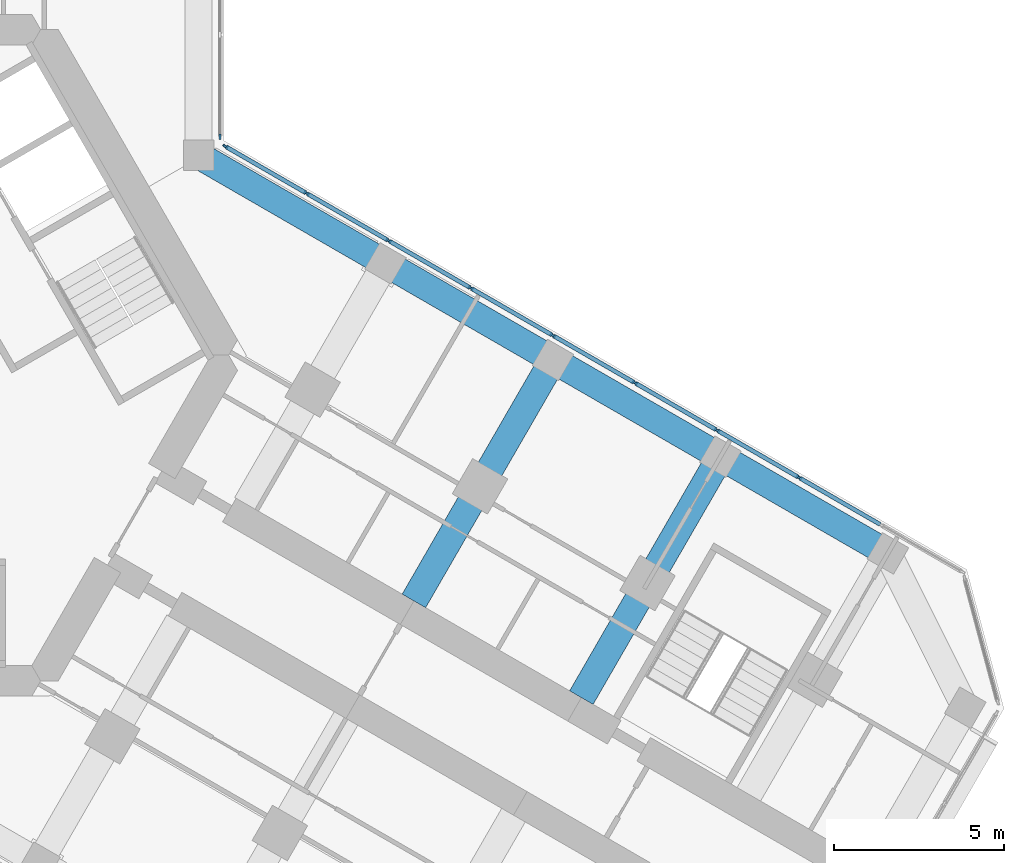
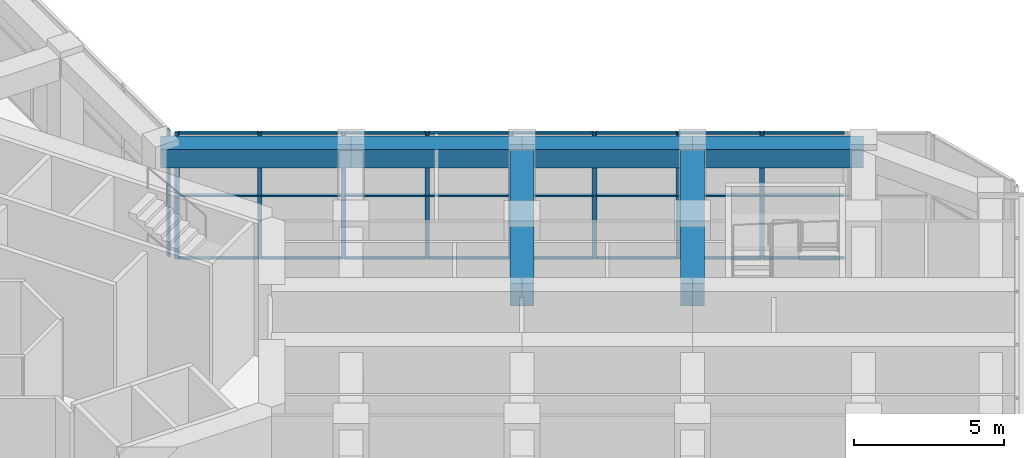
# One storey, part 7 of 20: 33 members, 6 beams, 2 elements without a shape of their own.
"""IFC4 building model written with IfcOpenShell, lengths in metres."""

from ifc_helpers import new_model, si_unit, direction, frame, origin, origin_2d, place, context, subcontext, project, spatial, rectangle, extrude, material, material_profile, profile_set, type_object, element, aggregate, save


model = new_model("IFC4")

# Units and contexts
model_context = context("Model", 3, precision=1e-05, world=origin(), true_north=direction((0.0, 1.0)))
body_context = subcontext(model_context, "Body", "Model", "MODEL_VIEW")
ifc_project = project(units=[si_unit("LENGTHUNIT", "METRE"), si_unit("AREAUNIT", "SQUARE_METRE"), si_unit("VOLUMEUNIT", "CUBIC_METRE"), si_unit("PLANEANGLEUNIT", "RADIAN"), si_unit("MASSUNIT", "GRAM", prefix="KILO")], contexts=[model_context])

# Site, building, storey
site_placement = place(None, origin())
site = spatial("IfcSite", under=ifc_project, at=site_placement, CompositionType="ELEMENT")
building_placement = place(site_placement, origin())
building = spatial("IfcBuilding", under=site, at=building_placement, Name="Kosmar Iwan School Tower", CompositionType="ELEMENT")
storey_placement = place(building_placement, frame((0.0, 0.0, 152.60009765625)))
storey = spatial("IfcBuildingStorey", under=building, at=storey_placement, Name="L38", CompositionType="ELEMENT", Elevation=152.60009765625)

# Curtain wall, members
ifc_material_1 = material(Name="Dark glass in black aluminium frame", Category="aluminium")
curtain_wall_type = type_object("IfcCurtainWallType", Name="Winter garden curtain wall", PredefinedType="USERDEFINED", material=ifc_material_1)
curtain_wall_1_placement = place(storey_placement, origin())
curtain_wall_1 = element("IfcCurtainWall", 1, at=curtain_wall_1_placement, inside=storey, type_object=curtain_wall_type, Name="Curtain wall L38-F05", ObjectType="WINTER GARDEN CURTAIN WALL", PredefinedType="USERDEFINED")
ifc_material_2 = material(Name="Black anodised aluminium", Category="aluminium")
ifc_material_profile_1 = material_profile(ifc_material_2, rectangle(XDim=0.06005859375, YDim=0.159912109375, at=origin_2d()), Name="MULLION 60x160")
ifc_profile_set_1 = profile_set([ifc_material_profile_1], Name="Black anodised aluminium")
member_type_1 = type_object("IfcMemberType", Name="Mullion 60x160", PredefinedType="MULLION", material=ifc_profile_set_1)
member_1_placement = place(storey_placement, frame((10.98876953125, 6.1552734375, 0.0), z_axis=(0.0, 0.0, 1.0), x_axis=(0.500000014888, 0.866025395189, 0.0)))
member_1 = element("IfcMember", 2, at=member_1_placement, type_object=member_type_1, Name="CW7 mullion 1", PredefinedType="MULLION", context=body_context, shape_type="SweptSolid", body=[
    extrude(rectangle(XDim=0.06005859375, YDim=0.159912109375, at=origin_2d()), origin(), (0.0, 0.0, 1.0), 5.14990234375),
])
member_2_placement = place(storey_placement, frame((13.3818359375, 4.773681640625, 0.0), z_axis=(0.0, 0.0, 1.0), x_axis=(0.500000014888, 0.866025395189, 0.0)))
member_2 = element("IfcMember", 3, at=member_2_placement, type_object=member_type_1, Name="CW7 mullion 2", PredefinedType="MULLION", context=body_context, shape_type="SweptSolid", body=[
    extrude(rectangle(XDim=0.06005859375, YDim=0.159912109375, at=origin_2d()), origin(), (0.0, 0.0, 1.0), 5.14990234375),
])
member_3_placement = place(storey_placement, frame((15.80078125, 3.376953125, 0.0), z_axis=(0.0, 0.0, 1.0), x_axis=(0.500000014888, 0.866025395189, 0.0)))
member_3 = element("IfcMember", 4, at=member_3_placement, type_object=member_type_1, Name="CW7 mullion 3", PredefinedType="MULLION", context=body_context, shape_type="SweptSolid", body=[
    extrude(rectangle(XDim=0.06005859375, YDim=0.159912109375, at=origin_2d()), origin(), (0.0, 0.0, 1.0), 5.14990234375),
])
member_4_placement = place(storey_placement, frame((18.219970703125, 1.98046875, 0.0), z_axis=(0.0, 0.0, 1.0), x_axis=(0.500000014888, 0.866025395189, 0.0)))
member_4 = element("IfcMember", 5, at=member_4_placement, type_object=member_type_1, Name="CW7 mullion 4", PredefinedType="MULLION", context=body_context, shape_type="SweptSolid", body=[
    extrude(rectangle(XDim=0.06005859375, YDim=0.159912109375, at=origin_2d()), origin(), (0.0, 0.0, 1.0), 5.14990234375),
])
member_5_placement = place(storey_placement, frame((20.638916015625, 0.583740234375, 0.0), z_axis=(0.0, 0.0, 1.0), x_axis=(0.500000014888, 0.866025395189, 0.0)))
member_5 = element("IfcMember", 6, at=member_5_placement, type_object=member_type_1, Name="CW7 mullion 5", PredefinedType="MULLION", context=body_context, shape_type="SweptSolid", body=[
    extrude(rectangle(XDim=0.06005859375, YDim=0.159912109375, at=origin_2d()), origin(), (0.0, 0.0, 1.0), 5.14990234375),
])
member_6_placement = place(storey_placement, frame((23.057861328125, -0.81298828125, 0.0), z_axis=(0.0, 0.0, 1.0), x_axis=(0.500000014888, 0.866025395189, 0.0)))
member_6 = element("IfcMember", 7, at=member_6_placement, type_object=member_type_1, Name="CW7 mullion 6", PredefinedType="MULLION", context=body_context, shape_type="SweptSolid", body=[
    extrude(rectangle(XDim=0.06005859375, YDim=0.159912109375, at=origin_2d()), origin(), (0.0, 0.0, 1.0), 5.14990234375),
])
member_7_placement = place(storey_placement, frame((25.47705078125, -2.20947265625, 0.0), z_axis=(0.0, 0.0, 1.0), x_axis=(0.500000014888, 0.866025395189, 0.0)))
member_7 = element("IfcMember", 8, at=member_7_placement, type_object=member_type_1, Name="CW7 mullion 7", PredefinedType="MULLION", context=body_context, shape_type="SweptSolid", body=[
    extrude(rectangle(XDim=0.06005859375, YDim=0.159912109375, at=origin_2d()), origin(), (0.0, 0.0, 1.0), 5.14990234375),
])
member_8_placement = place(storey_placement, frame((27.89599609375, -3.606201171875, 0.0), z_axis=(0.0, 0.0, 1.0), x_axis=(0.500000014888, 0.866025395189, 0.0)))
member_8 = element("IfcMember", 9, at=member_8_placement, type_object=member_type_1, Name="CW7 mullion 8", PredefinedType="MULLION", context=body_context, shape_type="SweptSolid", body=[
    extrude(rectangle(XDim=0.06005859375, YDim=0.159912109375, at=origin_2d()), origin(), (0.0, 0.0, 1.0), 5.14990234375),
])

# Curtain wall, member
curtain_wall_2_placement = place(storey_placement, origin())
curtain_wall_2 = element("IfcCurtainWall", 10, at=curtain_wall_2_placement, inside=storey, type_object=curtain_wall_type, Name="Curtain wall L38-F06", ObjectType="WINTER GARDEN CURTAIN WALL", PredefinedType="USERDEFINED")
member_9_placement = place(storey_placement, frame((10.824951171875, 6.43896484375, 0.0), z_axis=(0.0, 0.0, 1.0), x_axis=(-1.0, 0.0, 0.0)))
member_9 = element("IfcMember", 11, at=member_9_placement, type_object=member_type_1, Name="CW7 mullion 1", PredefinedType="MULLION", context=body_context, shape_type="SweptSolid", body=[
    extrude(rectangle(XDim=0.06005859375, YDim=0.159912109375, at=origin_2d()), origin(), (0.0, 0.0, 1.0), 5.14990234375),
])
aggregate(curtain_wall_2, [member_9])

# Beams
ifc_material_3 = material(Name="Concrete C50/60", Category="concrete")
ifc_material_profile_2 = material_profile(ifc_material_3, rectangle(XDim=0.800048828125, YDim=0.75, at=origin_2d()), Name="RC 800x750")
ifc_profile_set_2 = profile_set([ifc_material_profile_2], Name="Concrete C50/60")
beam_type_1 = type_object("IfcBeamType", Name="RC edge beam 800x750", PredefinedType="BEAM", material=ifc_profile_set_2)
beam_1_placement = place(storey_placement, frame((10.199951171875, 5.888916015625, 4.77490234375), z_axis=(0.866030912664, -0.49999045822, 0.0), x_axis=(0.49999045822, 0.866030912664, 0.0)))
element("IfcBeam", 12, at=beam_1_placement, inside=storey, type_object=beam_type_1, Name="Edge beam CL1", PredefinedType="BEAM", context=body_context, shape_type="SweptSolid", body=[
    extrude(rectangle(XDim=0.800048828125, YDim=0.75, at=origin_2d()), origin(), (0.0, 0.0, 1.0), 6.36083984375),
])
beam_2_placement = place(storey_placement, frame((15.708740234375, 2.70849609375, 4.77490234375), z_axis=(0.866025820012, -0.499999279071, 0.0), x_axis=(0.499999279071, 0.866025820012, 0.0)))
element("IfcBeam", 13, at=beam_2_placement, inside=storey, type_object=beam_type_1, Name="Edge beam CL2", PredefinedType="BEAM", context=body_context, shape_type="SweptSolid", body=[
    extrude(rectangle(XDim=0.800048828125, YDim=0.75, at=origin_2d()), origin(), (0.0, 0.0, 1.0), 5.7001953125),
])
for number, where, z_axis, x_axis, name in (
    (14, (20.645263671875, -0.1416015625, 4.77490234375), (0.866033658841, -0.49998570155, 0.0), (0.49998570155, 0.866033658841, 0.0), "Edge beam CL3"),
    (15, (25.58154296875, -2.991455078125, 4.77490234375), (0.866015111908, -0.50001782563, 0.0), (0.50001782563, 0.866015111908, 0.0), "Edge beam CL4"),
):
    element("IfcBeam", number, at=place(storey_placement, frame(where, z_axis=z_axis, x_axis=x_axis)), inside=storey, type_object=beam_type_1, Name=name, PredefinedType="BEAM", context=body_context, shape_type="SweptSolid", body=[
        extrude(rectangle(XDim=0.800048828125, YDim=0.75, at=origin_2d()), origin(), (0.0, 0.0, 1.0), 5.699951171875),
    ])
ifc_material_4 = material(Name="Concrete C50/60", Category="concrete")
ifc_material_profile_3 = material_profile(ifc_material_4, rectangle(XDim=0.800048828125, YDim=0.89990234375, at=origin_2d()), Name="RC 800x900")
ifc_profile_set_3 = profile_set([ifc_material_profile_3], Name="Concrete C50/60")
beam_type_2 = type_object("IfcBeamType", Name="RC transverse beam 800x900", PredefinedType="BEAM", material=ifc_profile_set_3)
beam_3_placement = place(storey_placement, frame((20.645263671875, -0.1416015625, 4.699951171875), z_axis=(-0.500013681986, -0.866017504342, 0.0), x_axis=(0.866017504342, -0.500013681986, 0.0)))
element("IfcBeam", 16, at=beam_3_placement, inside=storey, type_object=beam_type_2, Name="Transverse beam CL2", PredefinedType="BEAM", context=body_context, shape_type="SweptSolid", body=[
    extrude(rectangle(XDim=0.800048828125, YDim=0.89990234375, at=origin_2d()), origin(), (0.0, 0.0, 1.0), 8.199951171875),
])
beam_4_placement = place(storey_placement, frame((25.58154296875, -2.991455078125, 4.699951171875), z_axis=(-0.500000789788, -0.8660249478, 0.0), x_axis=(0.8660249478, -0.500000789788, 0.0)))
element("IfcBeam", 17, at=beam_4_placement, inside=storey, type_object=beam_type_2, Name="Transverse beam CL3", PredefinedType="BEAM", context=body_context, shape_type="SweptSolid", body=[
    extrude(rectangle(XDim=0.800048828125, YDim=0.89990234375, at=origin_2d()), origin(), (0.0, 0.0, 1.0), 8.2001953125),
])

# Member
ifc_material_5 = material(Name="Black anodised aluminium", Category="aluminium")
ifc_material_profile_4 = material_profile(ifc_material_5, rectangle(XDim=0.1201171875, YDim=0.06005859375, at=origin_2d()), Name="TRANSOM 60x120")
ifc_profile_set_4 = profile_set([ifc_material_profile_4], Name="Black anodised aluminium")
member_type_2 = type_object("IfcMemberType", Name="Transom 60x120", PredefinedType="USERDEFINED", material=ifc_profile_set_4)
member_10_placement = place(storey_placement, frame((11.014892578125, 6.14013671875, 0.02978515625), z_axis=(0.866033683985, -0.499985657998, 0.0), x_axis=(0.499985657998, 0.866033683985, 0.0)))
member_10 = element("IfcMember", 18, at=member_10_placement, type_object=member_type_2, Name="CW7 transom 1.1", ObjectType="TRANSOM", PredefinedType="USERDEFINED", context=body_context, shape_type="SweptSolid", body=[
    extrude(rectangle(XDim=0.1201171875, YDim=0.06005859375, at=origin_2d()), origin(), (0.0, 0.0, 1.0), 2.703125),
])

member_11_placement = place(storey_placement, frame((11.014892578125, 6.14013671875, 2.574951171875), z_axis=(0.866033683985, -0.499985657998, 0.0), x_axis=(0.499985657998, 0.866033683985, 0.0)))
member_11 = element("IfcMember", 19, at=member_11_placement, type_object=member_type_2, Name="CW7 transom 1.2", ObjectType="TRANSOM", PredefinedType="USERDEFINED", context=body_context, shape_type="SweptSolid", body=[
    extrude(rectangle(XDim=0.1201171875, YDim=0.06005859375, at=origin_2d()), origin(), (0.0, 0.0, 1.0), 2.703125),
])

member_12_placement = place(storey_placement, frame((11.014892578125, 6.14013671875, 5.119873046875), z_axis=(0.866033683985, -0.499985657998, 0.0), x_axis=(0.499985657998, 0.866033683985, 0.0)))
member_12 = element("IfcMember", 20, at=member_12_placement, type_object=member_type_2, Name="CW7 transom 1.3", ObjectType="TRANSOM", PredefinedType="USERDEFINED", context=body_context, shape_type="SweptSolid", body=[
    extrude(rectangle(XDim=0.1201171875, YDim=0.06005859375, at=origin_2d()), origin(), (0.0, 0.0, 1.0), 2.703125),
])

member_13_placement = place(storey_placement, frame((13.407958984375, 4.758544921875, 0.02978515625), z_axis=(0.866041295585, -0.499972473583, 0.0), x_axis=(0.499972473583, 0.866041295585, 0.0)))
member_13 = element("IfcMember", 21, at=member_13_placement, type_object=member_type_2, Name="CW7 transom 2.1", ObjectType="TRANSOM", PredefinedType="USERDEFINED", context=body_context, shape_type="SweptSolid", body=[
    extrude(rectangle(XDim=0.1201171875, YDim=0.06005859375, at=origin_2d()), origin(), (0.0, 0.0, 1.0), 2.733154296875),
])

member_14_placement = place(storey_placement, frame((13.407958984375, 4.758544921875, 2.574951171875), z_axis=(0.866041295585, -0.499972473583, 0.0), x_axis=(0.499972473583, 0.866041295585, 0.0)))
member_14 = element("IfcMember", 22, at=member_14_placement, type_object=member_type_2, Name="CW7 transom 2.2", ObjectType="TRANSOM", PredefinedType="USERDEFINED", context=body_context, shape_type="SweptSolid", body=[
    extrude(rectangle(XDim=0.1201171875, YDim=0.06005859375, at=origin_2d()), origin(), (0.0, 0.0, 1.0), 2.733154296875),
])

member_15_placement = place(storey_placement, frame((13.407958984375, 4.758544921875, 5.119873046875), z_axis=(0.866041295585, -0.499972473583, 0.0), x_axis=(0.499972473583, 0.866041295585, 0.0)))
member_15 = element("IfcMember", 23, at=member_15_placement, type_object=member_type_2, Name="CW7 transom 2.3", ObjectType="TRANSOM", PredefinedType="USERDEFINED", context=body_context, shape_type="SweptSolid", body=[
    extrude(rectangle(XDim=0.1201171875, YDim=0.06005859375, at=origin_2d()), origin(), (0.0, 0.0, 1.0), 2.733154296875),
])

member_16_placement = place(storey_placement, frame((15.826904296875, 3.362060546875, 0.02978515625), z_axis=(0.866002615699, -0.500039468044, 0.0), x_axis=(0.500039468044, 0.866002615699, 0.0)))
member_16 = element("IfcMember", 24, at=member_16_placement, type_object=member_type_2, Name="CW7 transom 3.1", ObjectType="TRANSOM", PredefinedType="USERDEFINED", context=body_context, shape_type="SweptSolid", body=[
    extrude(rectangle(XDim=0.1201171875, YDim=0.06005859375, at=origin_2d()), origin(), (0.0, 0.0, 1.0), 2.733154296875),
])

member_17_placement = place(storey_placement, frame((15.826904296875, 3.362060546875, 2.574951171875), z_axis=(0.866002615699, -0.500039468044, 0.0), x_axis=(0.500039468044, 0.866002615699, 0.0)))
member_17 = element("IfcMember", 25, at=member_17_placement, type_object=member_type_2, Name="CW7 transom 3.2", ObjectType="TRANSOM", PredefinedType="USERDEFINED", context=body_context, shape_type="SweptSolid", body=[
    extrude(rectangle(XDim=0.1201171875, YDim=0.06005859375, at=origin_2d()), origin(), (0.0, 0.0, 1.0), 2.733154296875),
])

member_18_placement = place(storey_placement, frame((15.826904296875, 3.362060546875, 5.119873046875), z_axis=(0.866002615699, -0.500039468044, 0.0), x_axis=(0.500039468044, 0.866002615699, 0.0)))
member_18 = element("IfcMember", 26, at=member_18_placement, type_object=member_type_2, Name="CW7 transom 3.3", ObjectType="TRANSOM", PredefinedType="USERDEFINED", context=body_context, shape_type="SweptSolid", body=[
    extrude(rectangle(XDim=0.1201171875, YDim=0.06005859375, at=origin_2d()), origin(), (0.0, 0.0, 1.0), 2.733154296875),
])

member_19_placement = place(storey_placement, frame((18.245849609375, 1.96533203125, 0.02978515625), z_axis=(0.8660249478, -0.500000789788, 0.0), x_axis=(0.500000789788, 0.8660249478, 0.0)))
member_19 = element("IfcMember", 27, at=member_19_placement, type_object=member_type_2, Name="CW7 transom 4.1", ObjectType="TRANSOM", PredefinedType="USERDEFINED", context=body_context, shape_type="SweptSolid", body=[
    extrude(rectangle(XDim=0.1201171875, YDim=0.06005859375, at=origin_2d()), origin(), (0.0, 0.0, 1.0), 2.7333984375),
])

member_20_placement = place(storey_placement, frame((18.245849609375, 1.96533203125, 2.574951171875), z_axis=(0.8660249478, -0.500000789788, 0.0), x_axis=(0.500000789788, 0.8660249478, 0.0)))
member_20 = element("IfcMember", 28, at=member_20_placement, type_object=member_type_2, Name="CW7 transom 4.2", ObjectType="TRANSOM", PredefinedType="USERDEFINED", context=body_context, shape_type="SweptSolid", body=[
    extrude(rectangle(XDim=0.1201171875, YDim=0.06005859375, at=origin_2d()), origin(), (0.0, 0.0, 1.0), 2.7333984375),
])

member_21_placement = place(storey_placement, frame((18.245849609375, 1.96533203125, 5.119873046875), z_axis=(0.8660249478, -0.500000789788, 0.0), x_axis=(0.500000789788, 0.8660249478, 0.0)))
member_21 = element("IfcMember", 29, at=member_21_placement, type_object=member_type_2, Name="CW7 transom 4.3", ObjectType="TRANSOM", PredefinedType="USERDEFINED", context=body_context, shape_type="SweptSolid", body=[
    extrude(rectangle(XDim=0.1201171875, YDim=0.06005859375, at=origin_2d()), origin(), (0.0, 0.0, 1.0), 2.7333984375),
])

member_22_placement = place(storey_placement, frame((20.664794921875, 0.56884765625, 0.02978515625), z_axis=(0.8660249478, -0.500000789788, 0.0), x_axis=(0.500000789788, 0.8660249478, 0.0)))
member_22 = element("IfcMember", 30, at=member_22_placement, type_object=member_type_2, Name="CW7 transom 5.1", ObjectType="TRANSOM", PredefinedType="USERDEFINED", context=body_context, shape_type="SweptSolid", body=[
    extrude(rectangle(XDim=0.1201171875, YDim=0.06005859375, at=origin_2d()), origin(), (0.0, 0.0, 1.0), 2.7333984375),
])

member_23_placement = place(storey_placement, frame((20.664794921875, 0.56884765625, 2.574951171875), z_axis=(0.8660249478, -0.500000789788, 0.0), x_axis=(0.500000789788, 0.8660249478, 0.0)))
member_23 = element("IfcMember", 31, at=member_23_placement, type_object=member_type_2, Name="CW7 transom 5.2", ObjectType="TRANSOM", PredefinedType="USERDEFINED", context=body_context, shape_type="SweptSolid", body=[
    extrude(rectangle(XDim=0.1201171875, YDim=0.06005859375, at=origin_2d()), origin(), (0.0, 0.0, 1.0), 2.7333984375),
])

member_24_placement = place(storey_placement, frame((20.664794921875, 0.56884765625, 5.119873046875), z_axis=(0.8660249478, -0.500000789788, 0.0), x_axis=(0.500000789788, 0.8660249478, 0.0)))
member_24 = element("IfcMember", 32, at=member_24_placement, type_object=member_type_2, Name="CW7 transom 5.3", ObjectType="TRANSOM", PredefinedType="USERDEFINED", context=body_context, shape_type="SweptSolid", body=[
    extrude(rectangle(XDim=0.1201171875, YDim=0.06005859375, at=origin_2d()), origin(), (0.0, 0.0, 1.0), 2.7333984375),
])

member_25_placement = place(storey_placement, frame((23.083984375, -0.827880859375, 0.02978515625), z_axis=(0.866002615699, -0.500039468044, 0.0), x_axis=(0.500039468044, 0.866002615699, 0.0)))
member_25 = element("IfcMember", 33, at=member_25_placement, type_object=member_type_2, Name="CW7 transom 6.1", ObjectType="TRANSOM", PredefinedType="USERDEFINED", context=body_context, shape_type="SweptSolid", body=[
    extrude(rectangle(XDim=0.1201171875, YDim=0.06005859375, at=origin_2d()), origin(), (0.0, 0.0, 1.0), 2.733154296875),
])

member_26_placement = place(storey_placement, frame((23.083984375, -0.827880859375, 2.574951171875), z_axis=(0.866002615699, -0.500039468044, 0.0), x_axis=(0.500039468044, 0.866002615699, 0.0)))
member_26 = element("IfcMember", 34, at=member_26_placement, type_object=member_type_2, Name="CW7 transom 6.2", ObjectType="TRANSOM", PredefinedType="USERDEFINED", context=body_context, shape_type="SweptSolid", body=[
    extrude(rectangle(XDim=0.1201171875, YDim=0.06005859375, at=origin_2d()), origin(), (0.0, 0.0, 1.0), 2.733154296875),
])

member_27_placement = place(storey_placement, frame((23.083984375, -0.827880859375, 5.119873046875), z_axis=(0.866002615699, -0.500039468044, 0.0), x_axis=(0.500039468044, 0.866002615699, 0.0)))
member_27 = element("IfcMember", 35, at=member_27_placement, type_object=member_type_2, Name="CW7 transom 6.3", ObjectType="TRANSOM", PredefinedType="USERDEFINED", context=body_context, shape_type="SweptSolid", body=[
    extrude(rectangle(XDim=0.1201171875, YDim=0.06005859375, at=origin_2d()), origin(), (0.0, 0.0, 1.0), 2.733154296875),
])

member_28_placement = place(storey_placement, frame((25.5029296875, -2.224609375, 0.02978515625), z_axis=(0.866063622699, -0.499933797055, 0.0), x_axis=(0.499933797055, 0.866063622699, 0.0)))
member_28 = element("IfcMember", 36, at=member_28_placement, type_object=member_type_2, Name="CW7 transom 7.1", ObjectType="TRANSOM", PredefinedType="USERDEFINED", context=body_context, shape_type="SweptSolid", body=[
    extrude(rectangle(XDim=0.1201171875, YDim=0.06005859375, at=origin_2d()), origin(), (0.0, 0.0, 1.0), 2.733154296875),
])

member_29_placement = place(storey_placement, frame((25.5029296875, -2.224609375, 2.574951171875), z_axis=(0.866063622699, -0.499933797055, 0.0), x_axis=(0.499933797055, 0.866063622699, 0.0)))
member_29 = element("IfcMember", 37, at=member_29_placement, type_object=member_type_2, Name="CW7 transom 7.2", ObjectType="TRANSOM", PredefinedType="USERDEFINED", context=body_context, shape_type="SweptSolid", body=[
    extrude(rectangle(XDim=0.1201171875, YDim=0.06005859375, at=origin_2d()), origin(), (0.0, 0.0, 1.0), 2.733154296875),
])

member_30_placement = place(storey_placement, frame((25.5029296875, -2.224609375, 5.119873046875), z_axis=(0.866063622699, -0.499933797055, 0.0), x_axis=(0.499933797055, 0.866063622699, 0.0)))
member_30 = element("IfcMember", 38, at=member_30_placement, type_object=member_type_2, Name="CW7 transom 7.3", ObjectType="TRANSOM", PredefinedType="USERDEFINED", context=body_context, shape_type="SweptSolid", body=[
    extrude(rectangle(XDim=0.1201171875, YDim=0.06005859375, at=origin_2d()), origin(), (0.0, 0.0, 1.0), 2.733154296875),
])

member_31_placement = place(storey_placement, frame((27.921875, -3.62109375, 0.02978515625), z_axis=(0.8660249478, -0.500000789788, 0.0), x_axis=(0.500000789788, 0.8660249478, 0.0)))
member_31 = element("IfcMember", 39, at=member_31_placement, type_object=member_type_2, Name="CW7 transom 8.1", ObjectType="TRANSOM", PredefinedType="USERDEFINED", context=body_context, shape_type="SweptSolid", body=[
    extrude(rectangle(XDim=0.1201171875, YDim=0.06005859375, at=origin_2d()), origin(), (0.0, 0.0, 1.0), 2.7333984375),
])

member_32_placement = place(storey_placement, frame((27.921875, -3.62109375, 2.574951171875), z_axis=(0.8660249478, -0.500000789788, 0.0), x_axis=(0.500000789788, 0.8660249478, 0.0)))
member_32 = element("IfcMember", 40, at=member_32_placement, type_object=member_type_2, Name="CW7 transom 8.2", ObjectType="TRANSOM", PredefinedType="USERDEFINED", context=body_context, shape_type="SweptSolid", body=[
    extrude(rectangle(XDim=0.1201171875, YDim=0.06005859375, at=origin_2d()), origin(), (0.0, 0.0, 1.0), 2.7333984375),
])

member_33_placement = place(storey_placement, frame((27.921875, -3.62109375, 5.119873046875), z_axis=(0.8660249478, -0.500000789788, 0.0), x_axis=(0.500000789788, 0.8660249478, 0.0)))
member_33 = element("IfcMember", 41, at=member_33_placement, type_object=member_type_2, Name="CW7 transom 8.3", ObjectType="TRANSOM", PredefinedType="USERDEFINED", context=body_context, shape_type="SweptSolid", body=[
    extrude(rectangle(XDim=0.1201171875, YDim=0.06005859375, at=origin_2d()), origin(), (0.0, 0.0, 1.0), 2.7333984375),
])

aggregate(curtain_wall_1, [member_1, member_2, member_3, member_4, member_5, member_6, member_7, member_8, member_10, member_11, member_12, member_13, member_14, member_15, member_16, member_17, member_18, member_19, member_20, member_21, member_22, member_23, member_24, member_25, member_26, member_27, member_28, member_29, member_30, member_31, member_32, member_33])

save(model, "model.ifc")
